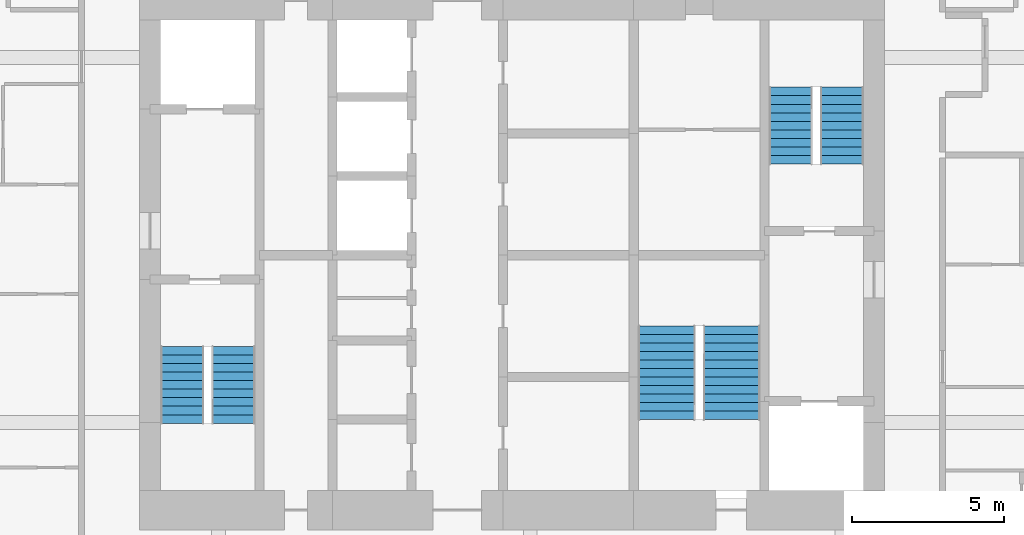
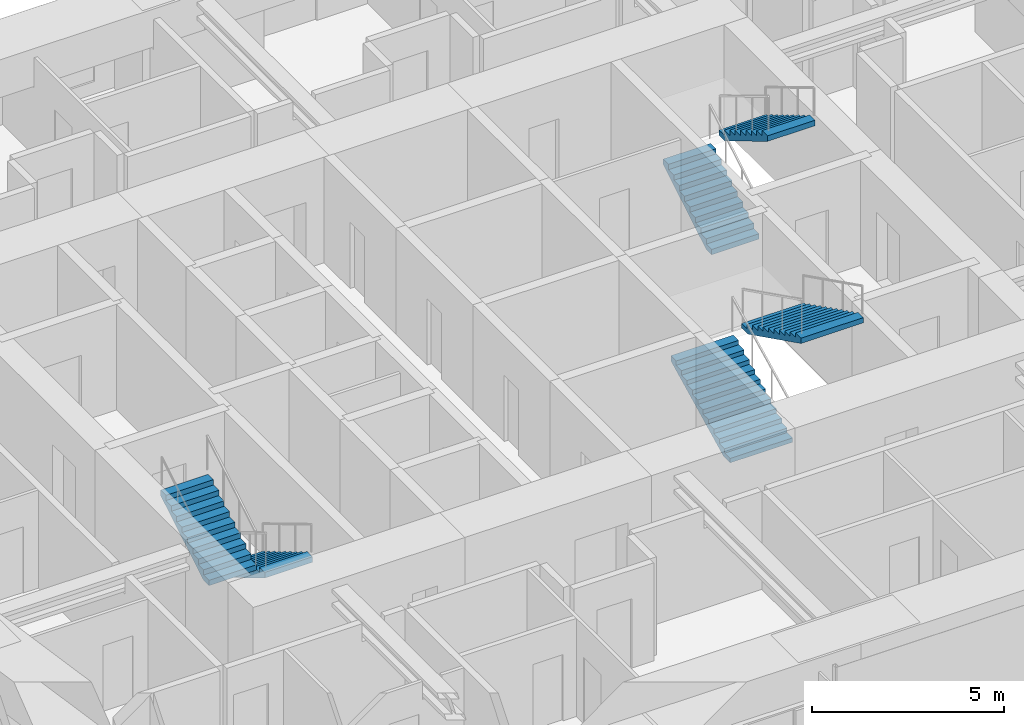
# One storey, part 22 of 23: 6 stair flights, 3 elements without a shape of their own.
"""IFC4 building model written with IfcOpenShell, lengths in metres."""

import ifcopenshell
import ifcopenshell.guid

model = None  # the IFC model being written
_history = None  # IfcOwnerHistory: only IFC2X3 demands one
_inside = {}  # id of a spatial element -> (the spatial element, [elements in it])
_under = {}  # id of a project, library or spatial element -> (it, [spatial elements below it])
_declared = {}  # id of a project -> (the project, [libraries it declares])
_typed = {}  # id of a type object -> (the type object, [elements of that type])
_made_of = {}  # id of a material, layer set ... -> (it, [elements and type objects made of it])


def new_model(schema):
    """Start an empty IFC model of exactly this schema.

    Asked for "IFC4X3", IfcOpenShell would pick the latest addendum, in which some entities
    have other attributes; the version numbers below select the first issue.
    IFC2X3 requires an IfcOwnerHistory on every rooted entity: one is made here for all.
    """
    global model, _history
    if schema == "IFC4X3":
        model = ifcopenshell.file(schema_version=(4, 3, 0, 0))
    else:
        model = ifcopenshell.file(schema=schema)
    _inside.clear()
    _under.clear()
    _declared.clear()
    _typed.clear()
    _made_of.clear()
    _history = None
    if model.schema == "IFC2X3":
        org = make("IfcOrganization", Name="unknown")
        user = make(
            "IfcPersonAndOrganization",
            ThePerson=make("IfcPerson", FamilyName="unknown"),
            TheOrganization=org,
        )
        app = make(
            "IfcApplication",
            ApplicationDeveloper=org,
            Version="unknown",
            ApplicationFullName="unknown",
            ApplicationIdentifier="unknown",
        )
        _history = make(
            "IfcOwnerHistory",
            OwningUser=user,
            OwningApplication=app,
            ChangeAction="ADDED",
            CreationDate=0,
        )
    return model


def make(cls, **values):
    """One entity of the class cls with the attributes given. An attribute that is None is left unset."""
    return model.create_entity(
        cls, **{name: value for name, value in values.items() if value is not None}
    )


def rooted(cls, **values):
    """An entity with a GlobalId (a new one), such as an element, a storey or a relation."""
    return make(cls, GlobalId=ifcopenshell.guid.new(), OwnerHistory=_history, **values)


def si_unit(unit_type, name, prefix=None):
    """IfcSIUnit, for example si_unit("LENGTHUNIT", "METRE", prefix="MILLI")."""
    return make("IfcSIUnit", UnitType=unit_type, Prefix=prefix, Name=name)


def assignment(units):
    """IfcUnitAssignment: the units of a project."""
    return None if units is None else make("IfcUnitAssignment", Units=units)


def point(xyz):
    """IfcCartesianPoint."""
    return None if xyz is None else make("IfcCartesianPoint", Coordinates=xyz)


def direction(xyz):
    """IfcDirection."""
    return None if xyz is None else make("IfcDirection", DirectionRatios=xyz)


def frame(location, z_axis=None, x_axis=None):
    """IfcAxis2Placement3D, a coordinate frame: its origin and axes. An axis left out is left unset."""
    return make(
        "IfcAxis2Placement3D",
        Location=point(location),
        Axis=direction(z_axis),
        RefDirection=direction(x_axis),
    )


def origin():
    """The frame at (0, 0, 0) with its axes left unset."""
    return frame((0.0, 0.0, 0.0))


def place(relative_to, where):
    """IfcLocalPlacement: puts the frame where relative to a parent placement (None: the world)."""
    return make(
        "IfcLocalPlacement", PlacementRelTo=relative_to, RelativePlacement=where
    )


def context(
    kind, dimensions, precision=None, world=None, true_north=None, identifier=None
):
    """IfcGeometricRepresentationContext, for example the 3D "Model" context."""
    return make(
        "IfcGeometricRepresentationContext",
        ContextIdentifier=identifier,
        ContextType=kind,
        CoordinateSpaceDimension=dimensions,
        Precision=precision,
        WorldCoordinateSystem=world,
        TrueNorth=true_north,
    )


def subcontext(parent, identifier, kind, view, scale=None):
    """IfcGeometricRepresentationSubContext, for example "Body" below "Model"."""
    return make(
        "IfcGeometricRepresentationSubContext",
        ContextIdentifier=identifier,
        ContextType=kind,
        ParentContext=parent,
        TargetScale=scale,
        TargetView=view,
    )


def project(units=None, contexts=None):
    """IfcProject with its units and contexts."""
    return rooted(
        "IfcProject",
        Name="project",
        RepresentationContexts=contexts,
        UnitsInContext=assignment(units),
    )


def spatial(cls, under=None, at=None, **own):
    """A site, building, storey or space (cls), placed at a placement, below another one or the project."""
    s = rooted(cls, ObjectPlacement=at, **own)
    if under is not None:
        _under.setdefault(under.id(), (under, []))[1].append(s)
    return s


def polyline(points):
    """IfcPolyline through the points."""
    return make("IfcPolyline", Points=[point(p) for p in points])


def outline(outer, holes=None, kind="AREA"):
    """IfcArbitraryClosedProfileDef: a profile drawn as a closed curve; with holes, ...WithVoids."""
    if holes is None:
        return make("IfcArbitraryClosedProfileDef", ProfileType=kind, OuterCurve=outer)
    return make(
        "IfcArbitraryProfileDefWithVoids",
        ProfileType=kind,
        OuterCurve=outer,
        InnerCurves=holes,
    )


def extrude(swept, where, along, depth):
    """IfcExtrudedAreaSolid: the profile swept, set in the frame where, extruded along a direction by depth."""
    return make(
        "IfcExtrudedAreaSolid",
        SweptArea=swept,
        Position=where,
        ExtrudedDirection=direction(along),
        Depth=depth,
    )


def shape(context_of_items, identifier, shape_type, items):
    """IfcShapeRepresentation: the items that make up one representation, for example the "Body"."""
    return make(
        "IfcShapeRepresentation",
        ContextOfItems=context_of_items,
        RepresentationIdentifier=identifier,
        RepresentationType=shape_type,
        Items=items,
    )


def material(Name=None, Category=None):
    """IfcMaterial."""
    return make("IfcMaterial", Name=Name, Category=Category)


def made_of(thing, what):
    """Note that an element or type object is made of a material, layer set ...; save() writes the relation."""
    if what is not None:
        _made_of.setdefault(what.id(), (what, []))[1].append(thing)
    return thing


def type_object(cls, material=None, **own):
    """A type object (cls), such as IfcWallType, which elements share."""
    return made_of(rooted(cls, **own), material)


def element(
    cls,
    number,
    at=None,
    inside=None,
    cuts=None,
    type_object=None,
    material=None,
    context=None,
    identifier="Body",
    shape_type=None,
    held_by="IfcProductDefinitionShape",
    body=None,
    shapes=None,
    **own,
):
    """One element of the class cls, such as IfcWall. Its Tag is "e" and its number.

    at: its placement. inside: the storey or other place that contains it. cuts: it is an
    opening in that element (IfcRelVoidsElement). A single representation is given by context,
    identifier, shape_type and body (its items); several are given by shapes. held_by: the class
    of the entity that holds the representations. save() writes the other relations.
    """
    e = rooted(cls, Tag="e%d" % number, ObjectPlacement=at, **own)
    if body is not None:
        shapes = [shape(context, identifier, shape_type, body)]
    if shapes is not None:
        e.Representation = make(held_by, Representations=shapes)
    if inside is not None:
        _inside.setdefault(inside.id(), (inside, []))[1].append(e)
    if cuts is not None:
        rooted(
            "IfcRelVoidsElement", RelatingBuildingElement=cuts, RelatedOpeningElement=e
        )
    if type_object is not None:
        _typed.setdefault(type_object.id(), (type_object, []))[1].append(e)
    return made_of(e, material)


def aggregate(whole, parts):
    """IfcRelAggregates: a whole, such as a stair, and the parts it consists of."""
    return rooted("IfcRelAggregates", RelatingObject=whole, RelatedObjects=parts)


def save(model, path):
    """Write the relations noted so far, then the file.

    IfcRelAggregates (storeys below a building ...), IfcRelContainedInSpatialStructure (elements
    in a storey), IfcRelDefinesByType, IfcRelAssociatesMaterial and IfcRelDeclares: one each for
    every whole, place, type object, material and project.
    """
    for whole, parts in _under.values():
        aggregate(whole, parts)
    for where, things in _inside.values():
        rooted(
            "IfcRelContainedInSpatialStructure",
            RelatedElements=things,
            RelatingStructure=where,
        )
    for kind, things in _typed.values():
        rooted("IfcRelDefinesByType", RelatedObjects=things, RelatingType=kind)
    for what, things in _made_of.values():
        rooted("IfcRelAssociatesMaterial", RelatedObjects=things, RelatingMaterial=what)
    for by, libraries in _declared.values():
        rooted("IfcRelDeclares", RelatingContext=by, RelatedDefinitions=libraries)
    model.write(path)


model = new_model("IFC4")

# Units and contexts
model_context = context("Model", 3, precision=1e-05, world=origin(), true_north=direction((0.0, 1.0)))
body_context = subcontext(model_context, "Body", "Model", "MODEL_VIEW")
ifc_project = project(units=[si_unit("LENGTHUNIT", "METRE"), si_unit("AREAUNIT", "SQUARE_METRE"), si_unit("VOLUMEUNIT", "CUBIC_METRE"), si_unit("PLANEANGLEUNIT", "RADIAN"), si_unit("MASSUNIT", "GRAM", prefix="KILO")], contexts=[model_context])

# Site, building, storey
site_placement = place(None, origin())
site = spatial("IfcSite", under=ifc_project, at=site_placement, CompositionType="ELEMENT")
building_placement = place(site_placement, origin())
building = spatial("IfcBuilding", under=site, at=building_placement, Name="Jalousie Tower", CompositionType="ELEMENT")
storey_placement = place(building_placement, frame((0.0, 0.0, 184.5)))
storey = spatial("IfcBuildingStorey", under=building, at=storey_placement, Name="L50", CompositionType="ELEMENT", Elevation=184.5)

# Stair, stair flights
ifc_material_1 = material(Name="Concrete f'c 40 MPa", Category="concrete")
stair_type = type_object("IfcStairType", Name="EXIT STAIR", PredefinedType="HALF_TURN_STAIR", material=ifc_material_1)
stair_1_placement = place(storey_placement, origin())
stair_1 = element("IfcStair", 1, at=stair_1_placement, inside=storey, type_object=stair_type, Name="Exit stair A L50", PredefinedType="HALF_TURN_STAIR")
ifc_material_2 = material(Name="Concrete f'c 40 MPa", Category="concrete")
stair_flight_type = type_object("IfcStairFlightType", Name="STAIR FLIGHT", PredefinedType="STRAIGHT", material=ifc_material_2)
stair_flight_1_placement = place(storey_placement, frame((22.737548828125, 15.49755859375, 0.0), z_axis=(0.0, 0.0, 1.0), x_axis=(0.0, -1.0, 0.0)))
stair_flight_1 = element("IfcStairFlight", 2, at=stair_flight_1_placement, type_object=stair_flight_type, Name="ST-A flight 1", NumberOfRisers=10, NumberOfTreads=9, PredefinedType="STRAIGHT", RiserHeight=0.1675, TreadLength=0.28, context=body_context, shape_type="SweptSolid", body=[
    extrude(outline(polyline([(0.0, 0.0), (0.0, 0.16748046875), (0.280029296875, 0.16748046875), (0.280029296875, 0.3349609375), (0.56005859375, 0.3349609375), (0.56005859375, 0.50244140625), (0.840087890625, 0.50244140625), (0.840087890625, 0.669921875), (1.1201171875, 0.669921875), (1.1201171875, 0.83740234375), (1.39990234375, 0.83740234375), (1.39990234375, 1.0048828125), (1.679931640625, 1.0048828125), (1.679931640625, 1.172607421875), (1.9599609375, 1.172607421875), (1.9599609375, 1.340087890625), (2.239990234375, 1.340087890625), (2.239990234375, 1.507568359375), (2.52001953125, 1.507568359375), (2.52001953125, 1.675048828125), (2.52001953125, 1.332763671875), (0.2919921875, 0.0), (0.0, 0.0)])), frame((0.0, 0.71240234375, 0.0), z_axis=(0.0, -1.0, 0.0), x_axis=(1.0, 0.0, 0.0)), (0.0, 0.0, 1.0), 1.425048828125),
])
stair_flight_2_placement = place(storey_placement, frame((21.0625, 12.9775390625, 1.675048828125), z_axis=(0.0, 0.0, 1.0), x_axis=(0.0, 1.0, 0.0)))
stair_flight_2 = element("IfcStairFlight", 3, at=stair_flight_2_placement, type_object=stair_flight_type, Name="ST-A flight 2", NumberOfRisers=10, NumberOfTreads=9, PredefinedType="STRAIGHT", RiserHeight=0.1675, TreadLength=0.28, context=body_context, shape_type="SweptSolid", body=[
    extrude(outline(polyline([(0.0, 0.0), (0.0, 0.16748046875), (0.280029296875, 0.16748046875), (0.280029296875, 0.3349609375), (0.56005859375, 0.3349609375), (0.56005859375, 0.50244140625), (0.840087890625, 0.50244140625), (0.840087890625, 0.669921875), (1.1201171875, 0.669921875), (1.1201171875, 0.83740234375), (1.39990234375, 0.83740234375), (1.39990234375, 1.0048828125), (1.679931640625, 1.0048828125), (1.679931640625, 1.172607421875), (1.9599609375, 1.172607421875), (1.9599609375, 1.340087890625), (2.239990234375, 1.340087890625), (2.239990234375, 1.507568359375), (2.52001953125, 1.507568359375), (2.52001953125, 1.675048828125), (2.52001953125, 1.332763671875), (0.2919921875, 0.0), (0.0, 0.0)])), frame((0.0, 0.71240234375, 0.0), z_axis=(0.0, -1.0, 0.0), x_axis=(1.0, 0.0, 0.0)), (0.0, 0.0, 1.0), 1.425048828125),
])
aggregate(stair_1, [stair_flight_1, stair_flight_2])

stair_2_placement = place(storey_placement, origin())
stair_2 = element("IfcStair", 4, at=stair_2_placement, inside=storey, type_object=stair_type, Name="Exit stair B L50", PredefinedType="HALF_TURN_STAIR")
stair_flight_3_placement = place(storey_placement, frame((41.0625, 21.50244140625, 0.0), z_axis=(0.0, 0.0, 1.0), x_axis=(0.0, 1.0, 0.0)))
stair_flight_3 = element("IfcStairFlight", 5, at=stair_flight_3_placement, type_object=stair_flight_type, Name="ST-B flight 1", NumberOfRisers=10, NumberOfTreads=9, PredefinedType="STRAIGHT", RiserHeight=0.1675, TreadLength=0.28, context=body_context, shape_type="SweptSolid", body=[
    extrude(outline(polyline([(0.0, 0.0), (0.0, 0.16748046875), (0.280029296875, 0.16748046875), (0.280029296875, 0.3349609375), (0.56005859375, 0.3349609375), (0.56005859375, 0.50244140625), (0.840087890625, 0.50244140625), (0.840087890625, 0.669921875), (1.1201171875, 0.669921875), (1.1201171875, 0.83740234375), (1.39990234375, 0.83740234375), (1.39990234375, 1.0048828125), (1.679931640625, 1.0048828125), (1.679931640625, 1.172607421875), (1.9599609375, 1.172607421875), (1.9599609375, 1.340087890625), (2.239990234375, 1.340087890625), (2.239990234375, 1.507568359375), (2.52001953125, 1.507568359375), (2.52001953125, 1.675048828125), (2.52001953125, 1.332763671875), (0.2919921875, 0.0), (0.0, 0.0)])), frame((0.0, 0.71240234375, 0.0), z_axis=(0.0, -1.0, 0.0), x_axis=(1.0, 0.0, 0.0)), (0.0, 0.0, 1.0), 1.425048828125),
])
stair_flight_4_placement = place(storey_placement, frame((42.737548828125, 24.0224609375, 1.675048828125), z_axis=(0.0, 0.0, 1.0), x_axis=(0.0, -1.0, 0.0)))
stair_flight_4 = element("IfcStairFlight", 6, at=stair_flight_4_placement, type_object=stair_flight_type, Name="ST-B flight 2", NumberOfRisers=10, NumberOfTreads=9, PredefinedType="STRAIGHT", RiserHeight=0.1675, TreadLength=0.28, context=body_context, shape_type="SweptSolid", body=[
    extrude(outline(polyline([(0.0, 0.0), (0.0, 0.16748046875), (0.280029296875, 0.16748046875), (0.280029296875, 0.3349609375), (0.56005859375, 0.3349609375), (0.56005859375, 0.50244140625), (0.840087890625, 0.50244140625), (0.840087890625, 0.669921875), (1.1201171875, 0.669921875), (1.1201171875, 0.83740234375), (1.39990234375, 0.83740234375), (1.39990234375, 1.0048828125), (1.679931640625, 1.0048828125), (1.679931640625, 1.172607421875), (1.9599609375, 1.172607421875), (1.9599609375, 1.340087890625), (2.239990234375, 1.340087890625), (2.239990234375, 1.507568359375), (2.52001953125, 1.507568359375), (2.52001953125, 1.675048828125), (2.52001953125, 1.332763671875), (0.2919921875, 0.0), (0.0, 0.0)])), frame((0.0, 0.71240234375, 0.0), z_axis=(0.0, -1.0, 0.0), x_axis=(1.0, 0.0, 0.0)), (0.0, 0.0, 1.0), 1.425048828125),
])
aggregate(stair_2, [stair_flight_3, stair_flight_4])

stair_3_placement = place(storey_placement, origin())
stair_3 = element("IfcStair", 7, at=stair_3_placement, inside=storey, type_object=stair_type, Name="Exit stair C L50", PredefinedType="HALF_TURN_STAIR")
stair_flight_5_placement = place(storey_placement, frame((36.987548828125, 13.097412109375, 0.0), z_axis=(0.0, 0.0, 1.0), x_axis=(0.0, 1.0, 0.0)))
stair_flight_5 = element("IfcStairFlight", 8, at=stair_flight_5_placement, type_object=stair_flight_type, Name="ST-C flight 1", NumberOfRisers=12, NumberOfTreads=11, PredefinedType="STRAIGHT", RiserHeight=0.139583333, TreadLength=0.28, context=body_context, shape_type="SweptSolid", body=[
    extrude(outline(polyline([(0.0, 0.0), (0.0, 0.1396484375), (0.280029296875, 0.1396484375), (0.280029296875, 0.279052734375), (0.56005859375, 0.279052734375), (0.56005859375, 0.418701171875), (0.840087890625, 0.418701171875), (0.840087890625, 0.558349609375), (1.1201171875, 0.558349609375), (1.1201171875, 0.697998046875), (1.39990234375, 0.697998046875), (1.39990234375, 0.83740234375), (1.679931640625, 0.83740234375), (1.679931640625, 0.97705078125), (1.9599609375, 0.97705078125), (1.9599609375, 1.11669921875), (2.239990234375, 1.11669921875), (2.239990234375, 1.25634765625), (2.52001953125, 1.25634765625), (2.52001953125, 1.395751953125), (2.800048828125, 1.395751953125), (2.800048828125, 1.535400390625), (3.080078125, 1.535400390625), (3.080078125, 1.675048828125), (3.080078125, 1.367919921875), (0.3359375, 0.0), (0.0, 0.0)])), frame((0.0, 0.9375, 0.0), z_axis=(0.0, -1.0, 0.0), x_axis=(1.0, 0.0, 0.0)), (0.0, 0.0, 1.0), 1.875),
])
stair_flight_6_placement = place(storey_placement, frame((39.112548828125, 16.177490234375, 1.675048828125), z_axis=(0.0, 0.0, 1.0), x_axis=(0.0, -1.0, 0.0)))
stair_flight_6 = element("IfcStairFlight", 9, at=stair_flight_6_placement, type_object=stair_flight_type, Name="ST-C flight 2", NumberOfRisers=12, NumberOfTreads=11, PredefinedType="STRAIGHT", RiserHeight=0.139583333, TreadLength=0.28, context=body_context, shape_type="SweptSolid", body=[
    extrude(outline(polyline([(0.0, 0.0), (0.0, 0.1396484375), (0.280029296875, 0.1396484375), (0.280029296875, 0.279052734375), (0.56005859375, 0.279052734375), (0.56005859375, 0.418701171875), (0.840087890625, 0.418701171875), (0.840087890625, 0.558349609375), (1.1201171875, 0.558349609375), (1.1201171875, 0.697998046875), (1.39990234375, 0.697998046875), (1.39990234375, 0.83740234375), (1.679931640625, 0.83740234375), (1.679931640625, 0.97705078125), (1.9599609375, 0.97705078125), (1.9599609375, 1.11669921875), (2.239990234375, 1.11669921875), (2.239990234375, 1.25634765625), (2.52001953125, 1.25634765625), (2.52001953125, 1.395751953125), (2.800048828125, 1.395751953125), (2.800048828125, 1.535400390625), (3.080078125, 1.535400390625), (3.080078125, 1.675048828125), (3.080078125, 1.367919921875), (0.3359375, 0.0), (0.0, 0.0)])), frame((0.0, 0.9375, 0.0), z_axis=(0.0, -1.0, 0.0), x_axis=(1.0, 0.0, 0.0)), (0.0, 0.0, 1.0), 1.875),
])
aggregate(stair_3, [stair_flight_5, stair_flight_6])

save(model, "model.ifc")
